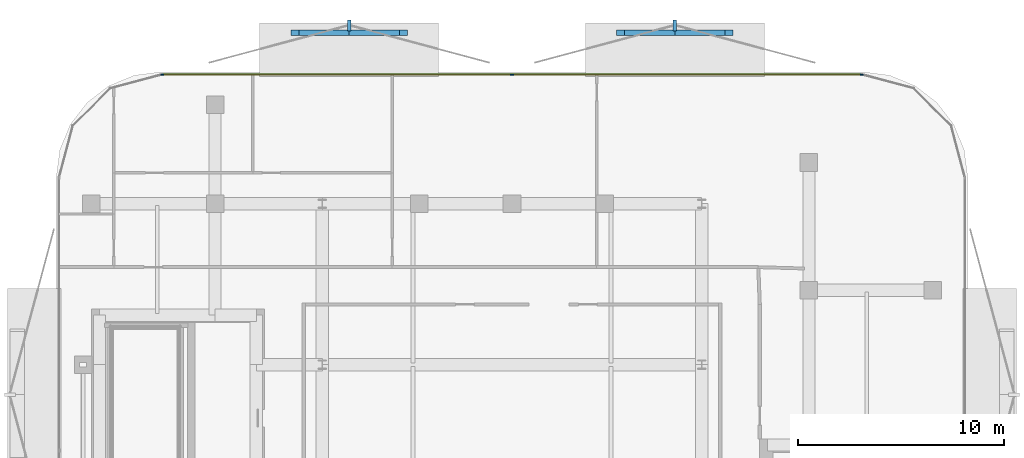
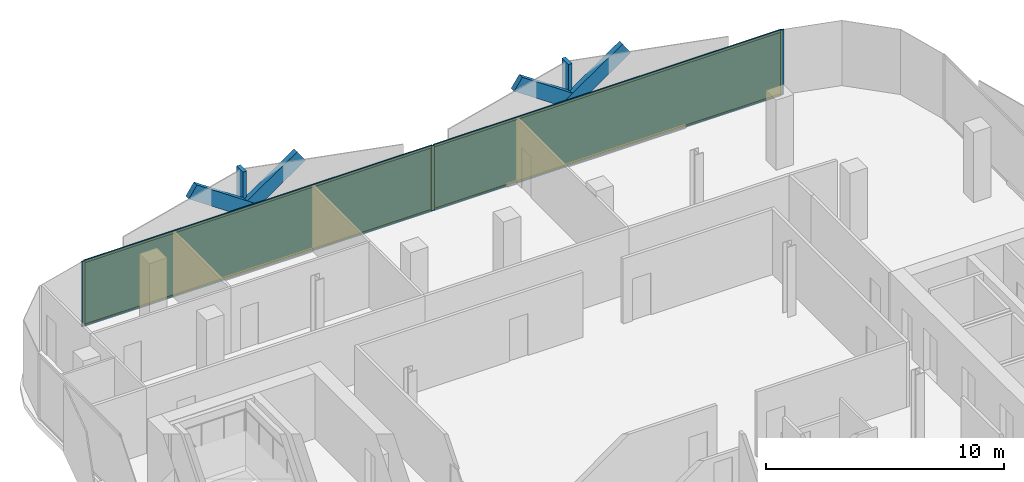
# One storey, part 10 of 14: 13 members, 2 plates, 1 curtain wall.
"""IFC4 building model written with IfcOpenShell, lengths in metres."""

import ifcopenshell
import ifcopenshell.guid

model = None  # the IFC model being written
_history = None  # IfcOwnerHistory: only IFC2X3 demands one
_inside = {}  # id of a spatial element -> (the spatial element, [elements in it])
_under = {}  # id of a project, library or spatial element -> (it, [spatial elements below it])
_declared = {}  # id of a project -> (the project, [libraries it declares])
_typed = {}  # id of a type object -> (the type object, [elements of that type])
_made_of = {}  # id of a material, layer set ... -> (it, [elements and type objects made of it])


def new_model(schema):
    """Start an empty IFC model of exactly this schema.

    Asked for "IFC4X3", IfcOpenShell would pick the latest addendum, in which some entities
    have other attributes; the version numbers below select the first issue.
    IFC2X3 requires an IfcOwnerHistory on every rooted entity: one is made here for all.
    """
    global model, _history
    if schema == "IFC4X3":
        model = ifcopenshell.file(schema_version=(4, 3, 0, 0))
    else:
        model = ifcopenshell.file(schema=schema)
    _inside.clear()
    _under.clear()
    _declared.clear()
    _typed.clear()
    _made_of.clear()
    _history = None
    if model.schema == "IFC2X3":
        org = make("IfcOrganization", Name="unknown")
        user = make(
            "IfcPersonAndOrganization",
            ThePerson=make("IfcPerson", FamilyName="unknown"),
            TheOrganization=org,
        )
        app = make(
            "IfcApplication",
            ApplicationDeveloper=org,
            Version="unknown",
            ApplicationFullName="unknown",
            ApplicationIdentifier="unknown",
        )
        _history = make(
            "IfcOwnerHistory",
            OwningUser=user,
            OwningApplication=app,
            ChangeAction="ADDED",
            CreationDate=0,
        )
    return model


def make(cls, **values):
    """One entity of the class cls with the attributes given. An attribute that is None is left unset."""
    return model.create_entity(
        cls, **{name: value for name, value in values.items() if value is not None}
    )


def rooted(cls, **values):
    """An entity with a GlobalId (a new one), such as an element, a storey or a relation."""
    return make(cls, GlobalId=ifcopenshell.guid.new(), OwnerHistory=_history, **values)


def si_unit(unit_type, name, prefix=None):
    """IfcSIUnit, for example si_unit("LENGTHUNIT", "METRE", prefix="MILLI")."""
    return make("IfcSIUnit", UnitType=unit_type, Prefix=prefix, Name=name)


def assignment(units):
    """IfcUnitAssignment: the units of a project."""
    return None if units is None else make("IfcUnitAssignment", Units=units)


def point(xyz):
    """IfcCartesianPoint."""
    return None if xyz is None else make("IfcCartesianPoint", Coordinates=xyz)


def direction(xyz):
    """IfcDirection."""
    return None if xyz is None else make("IfcDirection", DirectionRatios=xyz)


def frame(location, z_axis=None, x_axis=None):
    """IfcAxis2Placement3D, a coordinate frame: its origin and axes. An axis left out is left unset."""
    return make(
        "IfcAxis2Placement3D",
        Location=point(location),
        Axis=direction(z_axis),
        RefDirection=direction(x_axis),
    )


def frame_2d(location, x_axis=None):
    """IfcAxis2Placement2D, a coordinate frame in the plane: its origin and x axis."""
    return make(
        "IfcAxis2Placement2D", Location=point(location), RefDirection=direction(x_axis)
    )


def origin():
    """The frame at (0, 0, 0) with its axes left unset."""
    return frame((0.0, 0.0, 0.0))


def origin_2d():
    """The frame at (0, 0) in the plane with its x axis left unset."""
    return frame_2d((0.0, 0.0))


def place(relative_to, where):
    """IfcLocalPlacement: puts the frame where relative to a parent placement (None: the world)."""
    return make(
        "IfcLocalPlacement", PlacementRelTo=relative_to, RelativePlacement=where
    )


def context(
    kind, dimensions, precision=None, world=None, true_north=None, identifier=None
):
    """IfcGeometricRepresentationContext, for example the 3D "Model" context."""
    return make(
        "IfcGeometricRepresentationContext",
        ContextIdentifier=identifier,
        ContextType=kind,
        CoordinateSpaceDimension=dimensions,
        Precision=precision,
        WorldCoordinateSystem=world,
        TrueNorth=true_north,
    )


def subcontext(parent, identifier, kind, view, scale=None):
    """IfcGeometricRepresentationSubContext, for example "Body" below "Model"."""
    return make(
        "IfcGeometricRepresentationSubContext",
        ContextIdentifier=identifier,
        ContextType=kind,
        ParentContext=parent,
        TargetScale=scale,
        TargetView=view,
    )


def project(units=None, contexts=None):
    """IfcProject with its units and contexts."""
    return rooted(
        "IfcProject",
        Name="project",
        RepresentationContexts=contexts,
        UnitsInContext=assignment(units),
    )


def spatial(cls, under=None, at=None, **own):
    """A site, building, storey or space (cls), placed at a placement, below another one or the project."""
    s = rooted(cls, ObjectPlacement=at, **own)
    if under is not None:
        _under.setdefault(under.id(), (under, []))[1].append(s)
    return s


def profile(cls, at=None, kind="AREA", **sizes):
    """A parametric profile (cls). Its sizes go by their IFC names, for example OverallWidth=200.0."""
    return make(cls, ProfileType=kind, Position=at, **sizes)


def rectangle(**sizes):
    """IfcRectangleProfileDef."""
    return profile("IfcRectangleProfileDef", **sizes)


def extrude(swept, where, along, depth):
    """IfcExtrudedAreaSolid: the profile swept, set in the frame where, extruded along a direction by depth."""
    return make(
        "IfcExtrudedAreaSolid",
        SweptArea=swept,
        Position=where,
        ExtrudedDirection=direction(along),
        Depth=depth,
    )


def shape(context_of_items, identifier, shape_type, items):
    """IfcShapeRepresentation: the items that make up one representation, for example the "Body"."""
    return make(
        "IfcShapeRepresentation",
        ContextOfItems=context_of_items,
        RepresentationIdentifier=identifier,
        RepresentationType=shape_type,
        Items=items,
    )


def material(Name=None, Category=None):
    """IfcMaterial."""
    return make("IfcMaterial", Name=Name, Category=Category)


def layer(
    of_material, thickness, ventilated=None, Name=None, Category=None, Priority=None
):
    """IfcMaterialLayer: one layer of a wall or slab, of a material (None: an air gap)."""
    return make(
        "IfcMaterialLayer",
        Material=of_material,
        LayerThickness=thickness,
        IsVentilated=ventilated,
        Name=Name,
        Category=Category,
        Priority=Priority,
    )


def layer_set(layers, Name=None):
    """IfcMaterialLayerSet."""
    return make("IfcMaterialLayerSet", MaterialLayers=layers, LayerSetName=Name)


def material_profile(
    of_material, cross_section, Name=None, Category=None, Priority=None
):
    """IfcMaterialProfile: a cross section and its material."""
    return make(
        "IfcMaterialProfile",
        Name=Name,
        Material=of_material,
        Profile=cross_section,
        Priority=Priority,
        Category=Category,
    )


def profile_set(profiles, Name=None, composite=None):
    """IfcMaterialProfileSet."""
    return make(
        "IfcMaterialProfileSet",
        Name=Name,
        MaterialProfiles=profiles,
        CompositeProfile=composite,
    )


def made_of(thing, what):
    """Note that an element or type object is made of a material, layer set ...; save() writes the relation."""
    if what is not None:
        _made_of.setdefault(what.id(), (what, []))[1].append(thing)
    return thing


def type_object(cls, material=None, **own):
    """A type object (cls), such as IfcWallType, which elements share."""
    return made_of(rooted(cls, **own), material)


def element(
    cls,
    number,
    at=None,
    inside=None,
    cuts=None,
    type_object=None,
    material=None,
    context=None,
    identifier="Body",
    shape_type=None,
    held_by="IfcProductDefinitionShape",
    body=None,
    shapes=None,
    **own,
):
    """One element of the class cls, such as IfcWall. Its Tag is "e" and its number.

    at: its placement. inside: the storey or other place that contains it. cuts: it is an
    opening in that element (IfcRelVoidsElement). A single representation is given by context,
    identifier, shape_type and body (its items); several are given by shapes. held_by: the class
    of the entity that holds the representations. save() writes the other relations.
    """
    e = rooted(cls, Tag="e%d" % number, ObjectPlacement=at, **own)
    if body is not None:
        shapes = [shape(context, identifier, shape_type, body)]
    if shapes is not None:
        e.Representation = make(held_by, Representations=shapes)
    if inside is not None:
        _inside.setdefault(inside.id(), (inside, []))[1].append(e)
    if cuts is not None:
        rooted(
            "IfcRelVoidsElement", RelatingBuildingElement=cuts, RelatedOpeningElement=e
        )
    if type_object is not None:
        _typed.setdefault(type_object.id(), (type_object, []))[1].append(e)
    return made_of(e, material)


def aggregate(whole, parts):
    """IfcRelAggregates: a whole, such as a stair, and the parts it consists of."""
    return rooted("IfcRelAggregates", RelatingObject=whole, RelatedObjects=parts)


def save(model, path):
    """Write the relations noted so far, then the file.

    IfcRelAggregates (storeys below a building ...), IfcRelContainedInSpatialStructure (elements
    in a storey), IfcRelDefinesByType, IfcRelAssociatesMaterial and IfcRelDeclares: one each for
    every whole, place, type object, material and project.
    """
    for whole, parts in _under.values():
        aggregate(whole, parts)
    for where, things in _inside.values():
        rooted(
            "IfcRelContainedInSpatialStructure",
            RelatedElements=things,
            RelatingStructure=where,
        )
    for kind, things in _typed.values():
        rooted("IfcRelDefinesByType", RelatedObjects=things, RelatingType=kind)
    for what, things in _made_of.values():
        rooted("IfcRelAssociatesMaterial", RelatedObjects=things, RelatingMaterial=what)
    for by, libraries in _declared.values():
        rooted("IfcRelDeclares", RelatingContext=by, RelatedDefinitions=libraries)
    model.write(path)


model = new_model("IFC4")

# Units and contexts
model_context = context("Model", 3, precision=1e-05, world=origin(), true_north=direction((0.0, 1.0)))
body_context = subcontext(model_context, "Body", "Model", "MODEL_VIEW")
ifc_project = project(units=[si_unit("LENGTHUNIT", "METRE"), si_unit("AREAUNIT", "SQUARE_METRE"), si_unit("VOLUMEUNIT", "CUBIC_METRE"), si_unit("PLANEANGLEUNIT", "RADIAN"), si_unit("MASSUNIT", "GRAM", prefix="KILO")], contexts=[model_context])

# Member
ifc_material_1 = material(Name="Anodised Bronze Aluminium 6063-T6", Category="aluminium")
ifc_material_profile_1 = material_profile(ifc_material_1, rectangle(XDim=0.260009765625, YDim=0.699951171875, at=origin_2d()))
ifc_profile_set_1 = profile_set([ifc_material_profile_1], Name="Anodised Bronze Aluminium 6063-T6")
member_type_1 = type_object("IfcMemberType", Name="Bronze Diamond Solar-Screen Lattice Rib BDL-700", PredefinedType="MULLION", material=ifc_profile_set_1)
site_placement = place(None, origin())
building_placement = place(site_placement, origin())
storey_placement = place(building_placement, frame((0.0, 0.0, 236.800048828125)))
member_1_placement = place(storey_placement, frame((-10.527099609375, 26.89990234375, -0.130126953125), z_axis=(0.825394585396, 0.0, 0.564556266814), x_axis=(0.0, 1.0, 0.0)))
member_1 = element("IfcMember", 1, at=member_1_placement, type_object=member_type_1, Name="L55 Bronze Diamond Solar Screen Lattice Rib 373A", PredefinedType="MULLION", context=body_context, shape_type="SweptSolid", body=[
    extrude(rectangle(XDim=0.260009765625, YDim=0.699951171875, at=origin_2d()), origin(), (0.0, 0.0, 1.0), 6.376953125),
])

member_2_placement = place(storey_placement, frame((-5.263671875, 26.89990234375, -0.130126953125), z_axis=(-0.825394585396, 0.0, 0.564556266814), x_axis=(0.0, -1.0, 0.0)))
member_2 = element("IfcMember", 2, at=member_2_placement, type_object=member_type_1, Name="L55 Bronze Diamond Solar Screen Lattice Rib 373B", PredefinedType="MULLION", context=body_context, shape_type="SweptSolid", body=[
    extrude(rectangle(XDim=0.260009765625, YDim=0.699951171875, at=origin_2d()), origin(), (0.0, 0.0, 1.0), 6.376953125),
])

member_3_placement = place(storey_placement, frame((5.263671875, 26.89990234375, -0.130126953125), z_axis=(0.825394585396, 0.0, 0.564556266814), x_axis=(0.0, 1.0, 0.0)))
member_3 = element("IfcMember", 3, at=member_3_placement, type_object=member_type_1, Name="L55 Bronze Diamond Solar Screen Lattice Rib 374A", PredefinedType="MULLION", context=body_context, shape_type="SweptSolid", body=[
    extrude(rectangle(XDim=0.260009765625, YDim=0.699951171875, at=origin_2d()), origin(), (0.0, 0.0, 1.0), 6.376953125),
])

member_4_placement = place(storey_placement, frame((10.527099609375, 26.89990234375, -0.130126953125), z_axis=(-0.825394585396, 0.0, 0.564556266814), x_axis=(0.0, -1.0, 0.0)))
member_4 = element("IfcMember", 4, at=member_4_placement, type_object=member_type_1, Name="L55 Bronze Diamond Solar Screen Lattice Rib 374B", PredefinedType="MULLION", context=body_context, shape_type="SweptSolid", body=[
    extrude(rectangle(XDim=0.260009765625, YDim=0.699951171875, at=origin_2d()), origin(), (0.0, 0.0, 1.0), 6.376953125),
])

ifc_material_2 = material(Name="Anodised Bronze Aluminium 6063-T6", Category="aluminium")
ifc_material_profile_2 = material_profile(ifc_material_2, rectangle(XDim=0.179931640625, YDim=0.5400390625, at=origin_2d()))
ifc_profile_set_2 = profile_set([ifc_material_profile_2], Name="Anodised Bronze Aluminium 6063-T6")
member_type_2 = type_object("IfcMemberType", Name="Bronze Solar-Screen Vertical Fold Fin BSF-540", PredefinedType="MULLION", material=ifc_profile_set_2)
member_5_placement = place(storey_placement, frame((-7.8955078125, 27.239990234375, -0.130126953125), z_axis=(0.0, 0.0, 1.0), x_axis=(1.0, 0.0, 0.0)))
member_5 = element("IfcMember", 5, at=member_5_placement, type_object=member_type_2, Name="L55 Bronze Solar Screen Vertical Fin 373", PredefinedType="MULLION", context=body_context, shape_type="SweptSolid", body=[
    extrude(rectangle(XDim=0.179931640625, YDim=0.5400390625, at=origin_2d()), origin(), (0.0, 0.0, 1.0), 3.60009765625),
])

member_6_placement = place(storey_placement, frame((7.8955078125, 27.239990234375, -0.130126953125), z_axis=(0.0, 0.0, 1.0), x_axis=(1.0, 0.0, 0.0)))
member_6 = element("IfcMember", 6, at=member_6_placement, type_object=member_type_2, Name="L55 Bronze Solar Screen Vertical Fin 374", PredefinedType="MULLION", context=body_context, shape_type="SweptSolid", body=[
    extrude(rectangle(XDim=0.179931640625, YDim=0.5400390625, at=origin_2d()), origin(), (0.0, 0.0, 1.0), 3.60009765625),
])

ifc_material_3 = material(Name="Anodised Bronze Aluminium 6063-T6", Category="aluminium")
ifc_material_profile_3 = material_profile(ifc_material_3, rectangle(XDim=0.06005859375, YDim=0.159912109375, at=origin_2d()))
ifc_profile_set_3 = profile_set([ifc_material_profile_3], Name="Anodised Bronze Aluminium 6063-T6")
member_type_3 = type_object("IfcMemberType", Name="CW-Z4 Mullion 60x160", PredefinedType="MULLION", material=ifc_profile_set_3)
member_7_placement = place(storey_placement, frame((-16.960693359375, 24.860107421875, 0.0), z_axis=(0.0, 0.0, 1.0), x_axis=(0.0, 1.0, 0.0)))
member_7 = element("IfcMember", 7, at=member_7_placement, type_object=member_type_3, Name="CW-Z4 mullion 1", PredefinedType="MULLION", context=body_context, shape_type="SweptSolid", body=[
    extrude(rectangle(XDim=0.06005859375, YDim=0.159912109375, at=origin_2d()), origin(), (0.0, 0.0, 1.0), 3.33984375),
])

member_8_placement = place(storey_placement, frame((0.0, 24.860107421875, 0.0), z_axis=(0.0, 0.0, 1.0), x_axis=(0.0, 1.0, 0.0)))
member_8 = element("IfcMember", 8, at=member_8_placement, type_object=member_type_3, Name="CW-Z4 mullion 2", PredefinedType="MULLION", context=body_context, shape_type="SweptSolid", body=[
    extrude(rectangle(XDim=0.06005859375, YDim=0.159912109375, at=origin_2d()), origin(), (0.0, 0.0, 1.0), 3.33984375),
])

member_9_placement = place(storey_placement, frame((16.960693359375, 24.860107421875, 0.0), z_axis=(0.0, 0.0, 1.0), x_axis=(0.0, 1.0, 0.0)))
member_9 = element("IfcMember", 9, at=member_9_placement, type_object=member_type_3, Name="CW-Z4 mullion 3", PredefinedType="MULLION", context=body_context, shape_type="SweptSolid", body=[
    extrude(rectangle(XDim=0.06005859375, YDim=0.159912109375, at=origin_2d()), origin(), (0.0, 0.0, 1.0), 3.33984375),
])

ifc_material_4 = material(Name="Anodised Bronze Aluminium 6063-T6", Category="aluminium")
ifc_material_profile_4 = material_profile(ifc_material_4, rectangle(XDim=0.06005859375, YDim=0.125, at=origin_2d()))
ifc_profile_set_4 = profile_set([ifc_material_profile_4], Name="Anodised Bronze Aluminium 6063-T6")
member_type_4 = type_object("IfcMemberType", Name="CW-Z4 Transom 60x125", PredefinedType="USERDEFINED", material=ifc_profile_set_4)
member_10_placement = place(storey_placement, frame((-16.930908203125, 24.860107421875, 0.030029296875), z_axis=(1.0, 0.0, 0.0), x_axis=(0.0, 1.0, 0.0)))
member_10 = element("IfcMember", 10, at=member_10_placement, type_object=member_type_4, Name="CW-Z4 transom 1.1", ObjectType="TRANSOM", PredefinedType="USERDEFINED", context=body_context, shape_type="SweptSolid", body=[
    extrude(rectangle(XDim=0.06005859375, YDim=0.125, at=origin_2d()), origin(), (0.0, 0.0, 1.0), 16.90087890625),
])

member_11_placement = place(storey_placement, frame((-16.930908203125, 24.860107421875, 3.31005859375), z_axis=(1.0, 0.0, 0.0), x_axis=(0.0, 1.0, 0.0)))
member_11 = element("IfcMember", 11, at=member_11_placement, type_object=member_type_4, Name="CW-Z4 transom 1.2", ObjectType="TRANSOM", PredefinedType="USERDEFINED", context=body_context, shape_type="SweptSolid", body=[
    extrude(rectangle(XDim=0.06005859375, YDim=0.125, at=origin_2d()), origin(), (0.0, 0.0, 1.0), 16.90087890625),
])

member_12_placement = place(storey_placement, frame((0.030029296875, 24.860107421875, 0.030029296875), z_axis=(1.0, 0.0, 0.0), x_axis=(0.0, 1.0, 0.0)))
member_12 = element("IfcMember", 12, at=member_12_placement, type_object=member_type_4, Name="CW-Z4 transom 2.1", ObjectType="TRANSOM", PredefinedType="USERDEFINED", context=body_context, shape_type="SweptSolid", body=[
    extrude(rectangle(XDim=0.06005859375, YDim=0.125, at=origin_2d()), origin(), (0.0, 0.0, 1.0), 16.90087890625),
])

member_13_placement = place(storey_placement, frame((0.030029296875, 24.860107421875, 3.31005859375), z_axis=(1.0, 0.0, 0.0), x_axis=(0.0, 1.0, 0.0)))
member_13 = element("IfcMember", 13, at=member_13_placement, type_object=member_type_4, Name="CW-Z4 transom 2.2", ObjectType="TRANSOM", PredefinedType="USERDEFINED", context=body_context, shape_type="SweptSolid", body=[
    extrude(rectangle(XDim=0.06005859375, YDim=0.125, at=origin_2d()), origin(), (0.0, 0.0, 1.0), 16.90087890625),
])

# Plate
ifc_material_5 = material(Name="Low-E Solar Control Laminated Glass", Category="glass")
ifc_layer_1 = layer(ifc_material_5, 0.030029296875, Name="Low-E Solar Control Laminated Glass")
ifc_layer_set_1 = layer_set([ifc_layer_1], Name="Low-E Solar Control Laminated Glass")
plate_type = type_object("IfcPlateType", Name="CW-Z4 Low-E Double Glazed Panel 30mm", PredefinedType="CURTAIN_PANEL", material=ifc_layer_set_1)
plate_1_placement = place(storey_placement, frame((-8.48046875, 24.860107421875, 0.06005859375), z_axis=(0.0, 0.0, 1.0), x_axis=(1.0, 0.0, 0.0)))
plate_1 = element("IfcPlate", 14, at=plate_1_placement, type_object=plate_type, Name="CW-Z4 panel 1.1", PredefinedType="CURTAIN_PANEL", context=body_context, shape_type="SweptSolid", body=[
    extrude(rectangle(XDim=16.90087890625, YDim=0.030029296875, at=origin_2d()), origin(), (0.0, 0.0, 1.0), 3.219970703125),
])

plate_2_placement = place(storey_placement, frame((8.48046875, 24.860107421875, 0.06005859375), z_axis=(0.0, 0.0, 1.0), x_axis=(1.0, 0.0, 0.0)))
plate_2 = element("IfcPlate", 15, at=plate_2_placement, type_object=plate_type, Name="CW-Z4 panel 2.1", PredefinedType="CURTAIN_PANEL", context=body_context, shape_type="SweptSolid", body=[
    extrude(rectangle(XDim=16.90087890625, YDim=0.030029296875, at=origin_2d()), origin(), (0.0, 0.0, 1.0), 3.219970703125),
])

# Site, building, storey
site = spatial("IfcSite", under=ifc_project, at=site_placement, CompositionType="ELEMENT")
building = spatial("IfcBuilding", under=site, at=building_placement, Name="Khairoan Windgate Tower", CompositionType="ELEMENT")
storey = spatial("IfcBuildingStorey", under=building, at=storey_placement, Name="L55", CompositionType="ELEMENT", Elevation=236.800048828125)

# Curtain wall
ifc_material_6 = material(Name="Anodised Bronze Aluminium 6063-T6", Category="aluminium")
ifc_layer_2 = layer(ifc_material_6, 0.159912109375, Name="Anodised Bronze Aluminium 6063-T6")
ifc_layer_set_2 = layer_set([ifc_layer_2], Name="Anodised Bronze Aluminium 6063-T6")
curtain_wall_type = type_object("IfcCurtainWallType", Name="Sky Residence Unitised Curtain Wall CW-Z4", PredefinedType="NOTDEFINED", material=ifc_layer_set_2)
curtain_wall_placement = place(storey_placement, frame((-16.99072265625, 24.860107421875, 0.0), z_axis=(0.0, 0.0, 1.0), x_axis=(1.0, 0.0, 0.0)))
curtain_wall = element("IfcCurtainWall", 16, at=curtain_wall_placement, inside=storey, type_object=curtain_wall_type, Name="L55 Unitised Curtain Wall 9", PredefinedType="NOTDEFINED", context=body_context, shape_type="SweptSolid", body=[
    extrude(rectangle(XDim=33.9814453125, YDim=0.010009765625, at=frame_2d((16.99072265625, 0.0))), origin(), (0.0, 0.0, 1.0), 3.33984375),
])

aggregate(curtain_wall, [member_7, member_8, member_9, member_10, member_11, plate_1, member_12, member_13, plate_2, member_1, member_2, member_5, member_3, member_4, member_6])

save(model, "model.ifc")
